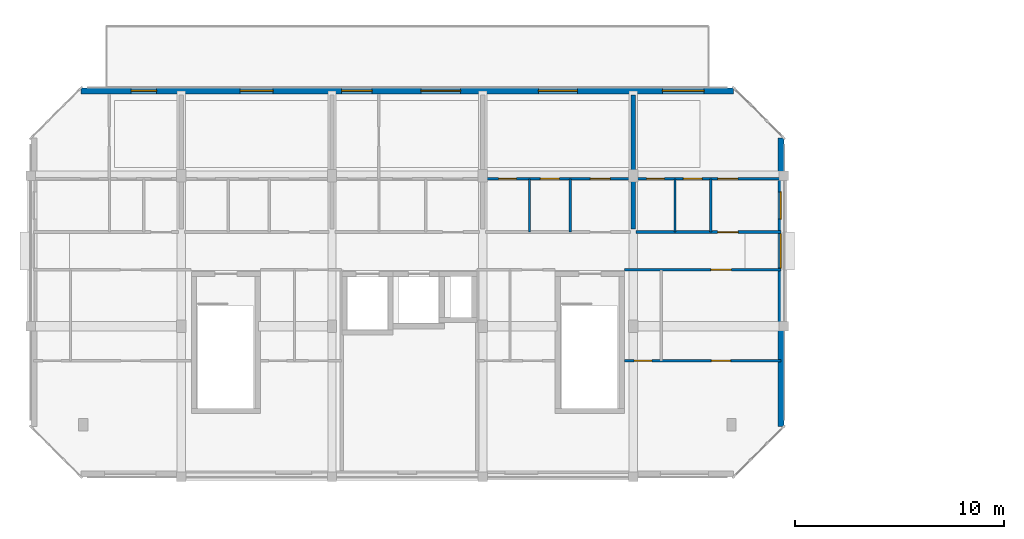
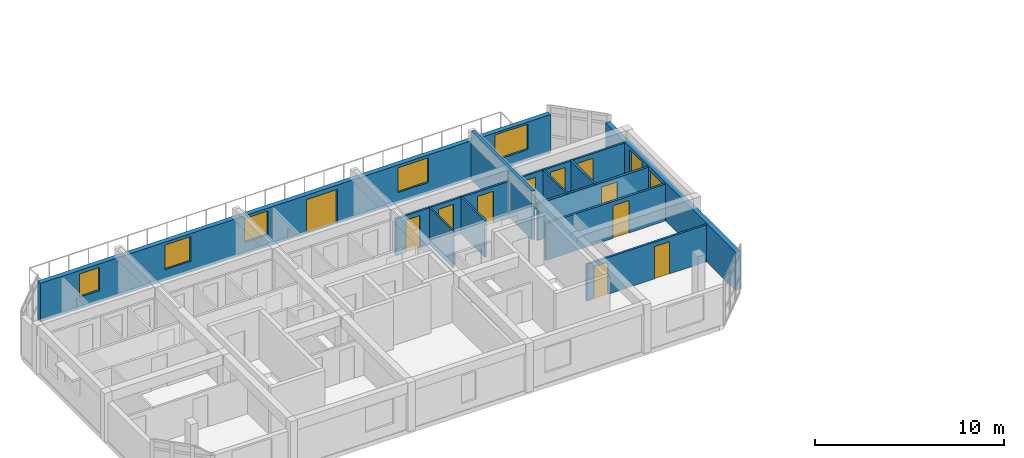
# One storey, part 14 of 30: 12 walls, 11 doors, 7 windows, 18 openings.
"""IFC4 building model written with IfcOpenShell, lengths in metres."""

from ifc_helpers import new_model, si_unit, direction, frame, frame_2d, origin, place, context, subcontext, project, spatial, rectangle, extrude, material, layer, layer_set, type_object, element, fill, save


model = new_model("IFC4")

# Units and contexts
model_context = context("Model", 3, precision=1e-05, world=origin(), true_north=direction((0.0, 1.0)))
body_context = subcontext(model_context, "Body", "Model", "MODEL_VIEW")
ifc_project = project(units=[si_unit("LENGTHUNIT", "METRE"), si_unit("AREAUNIT", "SQUARE_METRE"), si_unit("VOLUMEUNIT", "CUBIC_METRE"), si_unit("PLANEANGLEUNIT", "RADIAN"), si_unit("MASSUNIT", "GRAM", prefix="KILO")], contexts=[model_context])

# Site, building, storey
site_placement = place(None, origin())
site = spatial("IfcSite", under=ifc_project, at=site_placement, CompositionType="ELEMENT")
building_placement = place(site_placement, origin())
building = spatial("IfcBuilding", under=site, at=building_placement, Name="Ochrevale Crest", CompositionType="ELEMENT")
storey_placement = place(building_placement, frame((0.0, 0.0, 33.89990234375)))
storey = spatial("IfcBuildingStorey", under=building, at=storey_placement, Name="L10", CompositionType="ELEMENT", Elevation=33.89990234375)

# Wall, opening, door
ifc_material_1 = material(Name="Gypsum plasterboard", Category="gypsum")
ifc_layer_1 = layer(ifc_material_1, 0.139892578125)
ifc_layer_set_1 = layer_set([ifc_layer_1], Name="Gypsum plasterboard")
wall_type_1 = type_object("IfcWallType", Name="WL-COR-140", PredefinedType="PARTITIONING", material=ifc_layer_set_1)
wall_1_placement = place(storey_placement, frame((28.93994140625, 83.699951171875, 0.0), z_axis=(0.0, 0.0, 1.0), x_axis=(1.0, 0.0, 0.0)))
wall_1 = element("IfcWall", 1, at=wall_1_placement, inside=storey, type_object=wall_type_1, Name="Apartment B-L10-U5 corridor wall", PredefinedType="PARTITIONING", context=body_context, shape_type="SweptSolid", body=[
    extrude(rectangle(XDim=6.920166015625, YDim=0.139892578125, at=frame_2d((3.4599609375, 0.0))), origin(), (0.0, 0.0, 1.0), 2.380126953125),
])
opening_1_placement = place(wall_1_placement, frame((4.875, 0.0, 0.0), z_axis=(0.0, 0.0, 1.0), x_axis=(-1.0, 0.0, 0.0)))
opening_1 = element("IfcOpeningElement", 2, at=opening_1_placement, cuts=wall_1, Name="Opening FD01", PredefinedType="OPENING", context=body_context, shape_type="SweptSolid", body=[
    extrude(rectangle(XDim=0.97998046875, YDim=2.10009765625, at=frame_2d((0.489990234375, 1.050048828125))), frame((0.0, 0.080078125, 0.0), z_axis=(0.0, -1.0, 0.0), x_axis=(1.0, 0.0, 0.0)), (0.0, 0.0, 1.0), 0.159912109375),
])
ifc_material_2 = material(Name="Solid-core FSC hardwood", Category="wood")
door_type_1 = type_object("IfcDoorType", Name="DR-APT-950", OperationType="NOTDEFINED", PredefinedType="DOOR", material=ifc_material_2)
door_1_placement = place(opening_1_placement, origin())
door_1 = element("IfcDoor", 3, at=door_1_placement, inside=storey, type_object=door_type_1, Name="Apartment B-L10-U5 entrance door", OperationType="SINGLE_SWING_RIGHT", OverallHeight=2.10009765625, OverallWidth=0.97998046875, PredefinedType="DOOR", context=body_context, shape_type="SweptSolid", body=[
    extrude(rectangle(XDim=0.97998046875, YDim=2.10009765625, at=frame_2d((0.489990234375, 1.050048828125))), frame((0.0, 0.02490234375, 0.0), z_axis=(0.0, -1.0, 0.0), x_axis=(1.0, 0.0, 0.0)), (0.0, 0.0, 1.0), 0.050048828125),
])
fill(opening_1, door_1)

wall_2_placement = place(storey_placement, frame((28.389892578125, 81.89990234375, 0.0), z_axis=(0.0, 0.0, 1.0), x_axis=(1.0, 0.0, 0.0)))
wall_2 = element("IfcWall", 4, at=wall_2_placement, inside=storey, type_object=wall_type_1, Name="Suite B-L10-CE corridor wall", PredefinedType="PARTITIONING", context=body_context, shape_type="SweptSolid", body=[
    extrude(rectangle(XDim=7.47021484375, YDim=0.139892578125, at=frame_2d((3.735107421875, 0.0))), origin(), (0.0, 0.0, 1.0), 2.380126953125),
])
opening_2_placement = place(wall_2_placement, frame((4.1201171875, 0.0, 0.0)))
opening_2 = element("IfcOpeningElement", 5, at=opening_2_placement, cuts=wall_2, Name="Opening FD01", PredefinedType="OPENING", context=body_context, shape_type="SweptSolid", body=[
    extrude(rectangle(XDim=0.97998046875, YDim=2.10009765625, at=frame_2d((0.489990234375, 1.050048828125))), frame((0.0, 0.080078125, 0.0), z_axis=(0.0, -1.0, 0.0), x_axis=(1.0, 0.0, 0.0)), (0.0, 0.0, 1.0), 0.159912109375),
])
door_2_placement = place(opening_2_placement, origin())
door_2 = element("IfcDoor", 6, at=door_2_placement, inside=storey, type_object=door_type_1, Name="Suite B-L10-CE entrance door", OperationType="SINGLE_SWING_LEFT", OverallHeight=2.10009765625, OverallWidth=0.97998046875, PredefinedType="DOOR", context=body_context, shape_type="SweptSolid", body=[
    extrude(rectangle(XDim=0.97998046875, YDim=2.10009765625, at=frame_2d((0.489990234375, 1.050048828125))), frame((0.0, 0.02490234375, 0.0), z_axis=(0.0, -1.0, 0.0), x_axis=(1.0, 0.0, 0.0)), (0.0, 0.0, 1.0), 0.050048828125),
])
fill(opening_2, door_2)

# Wall, openings, windows
ifc_material_3 = material(Name="Clay face brickwork", Category="masonry")
ifc_layer_2 = layer(ifc_material_3, 0.2900390625)
ifc_layer_set_2 = layer_set([ifc_layer_2], Name="Clay face brickwork")
wall_type_2 = type_object("IfcWallType", Name="WL-EXT-BRICK-290", PredefinedType="SOLIDWALL", material=ifc_layer_set_2)
wall_3_placement = place(storey_placement, frame((35.85498046875, 74.39990234375, 0.0), z_axis=(0.0, 0.0, 1.0), x_axis=(0.0, 1.0, 0.0)))
wall_3 = element("IfcWall", 7, at=wall_3_placement, inside=storey, type_object=wall_type_2, Name="Block B L10 external facade wall E3", PredefinedType="SOLIDWALL", context=body_context, shape_type="SweptSolid", body=[
    extrude(rectangle(XDim=13.800048828125, YDim=0.2900390625, at=frame_2d((6.89990234375, 0.0))), origin(), (0.0, 0.0, 1.0), 2.47998046875),
])
opening_3_placement = place(wall_3_placement, frame((7.574951171875, 0.0, 1.050048828125)))
opening_3 = element("IfcOpeningElement", 8, at=opening_3_placement, cuts=wall_3, Name="Opening W19", PredefinedType="OPENING", context=body_context, shape_type="SweptSolid", body=[
    extrude(rectangle(XDim=1.64990234375, YDim=1.14990234375, at=frame_2d((0.824951171875, 0.574951171875))), frame((0.0, 0.155029296875, 0.0), z_axis=(0.0, -1.0, 0.0), x_axis=(1.0, 0.0, 0.0)), (0.0, 0.0, 1.0), 0.31005859375),
])
opening_4_placement = place(wall_3_placement, frame((9.922607421875, 0.0, 0.75)))
opening_4 = element("IfcOpeningElement", 9, at=opening_4_placement, cuts=wall_3, Name="Opening W30", PredefinedType="OPENING", context=body_context, shape_type="SweptSolid", body=[
    extrude(rectangle(XDim=1.300048828125, YDim=1.550048828125, at=frame_2d((0.64990234375, 0.77490234375))), frame((0.0, 0.155029296875, 0.0), z_axis=(0.0, -1.0, 0.0), x_axis=(1.0, 0.0, 0.0)), (0.0, 0.0, 1.0), 0.31005859375),
])
ifc_material_4 = material(Name="Anodised aluminium 6063-T5 and low-E double glazing", Category="aluminium")
window_type_1 = type_object("IfcWindowType", Name="WIN-W19", PartitioningType="SINGLE_PANEL", PredefinedType="WINDOW", material=ifc_material_4)
window_1_placement = place(opening_3_placement, origin())
window_1 = element("IfcWindow", 10, at=window_1_placement, inside=storey, type_object=window_type_1, Name="Block B L10 corridor end daylight window E", OverallHeight=1.14990234375, OverallWidth=1.64990234375, PartitioningType="SINGLE_PANEL", PredefinedType="WINDOW", context=body_context, shape_type="SweptSolid", body=[
    extrude(rectangle(XDim=1.64990234375, YDim=1.14990234375, at=frame_2d((0.824951171875, 0.574951171875))), frame((0.0, 0.030029296875, 0.0), z_axis=(0.0, -1.0, 0.0), x_axis=(1.0, 0.0, 0.0)), (0.0, 0.0, 1.0), 0.06005859375),
])
fill(opening_3, window_1)
window_type_2 = type_object("IfcWindowType", Name="WIN-W30", PartitioningType="SINGLE_PANEL", PredefinedType="WINDOW", material=ifc_material_4)
window_2_placement = place(opening_4_placement, origin())
window_2 = element("IfcWindow", 11, at=window_2_placement, inside=storey, type_object=window_type_2, Name="Block B L10 side suite window E", OverallHeight=1.550048828125, OverallWidth=1.300048828125, PartitioningType="SINGLE_PANEL", PredefinedType="WINDOW", context=body_context, shape_type="SweptSolid", body=[
    extrude(rectangle(XDim=1.300048828125, YDim=1.550048828125, at=frame_2d((0.64990234375, 0.77490234375))), frame((0.0, 0.030029296875, 0.0), z_axis=(0.0, -1.0, 0.0), x_axis=(1.0, 0.0, 0.0)), (0.0, 0.0, 1.0), 0.06005859375),
])
fill(opening_4, window_2)

# Wall, openings, door, windows
wall_4_placement = place(storey_placement, frame((33.60009765625, 90.455078125, 0.0), z_axis=(0.0, 0.0, 1.0), x_axis=(-1.0, 0.0, 0.0)))
wall_4 = element("IfcWall", 12, at=wall_4_placement, inside=storey, type_object=wall_type_2, Name="Block B L10 external facade wall E5", PredefinedType="SOLIDWALL", context=body_context, shape_type="SweptSolid", body=[
    extrude(rectangle(XDim=31.2001953125, YDim=0.2900390625, at=frame_2d((15.60009765625, 0.0))), origin(), (0.0, 0.0, 1.0), 2.47998046875),
])
opening_5_placement = place(wall_4_placement, frame((14.949951171875, 0.0, 0.0), z_axis=(0.0, 0.0, 1.0), x_axis=(-1.0, 0.0, 0.0)))
opening_5 = element("IfcOpeningElement", 13, at=opening_5_placement, cuts=wall_4, Name="Opening TD01", PredefinedType="OPENING", context=body_context, shape_type="SweptSolid", body=[
    extrude(rectangle(XDim=1.89990234375, YDim=2.199951171875, at=frame_2d((0.949951171875, 1.10009765625))), frame((0.0, 0.155029296875, 0.0), z_axis=(0.0, -1.0, 0.0), x_axis=(1.0, 0.0, 0.0)), (0.0, 0.0, 1.0), 0.31005859375),
])
opening_6_placement = place(wall_4_placement, frame((27.580078125, 0.0, 0.75)))
opening_6 = element("IfcOpeningElement", 14, at=opening_6_placement, cuts=wall_4, Name="Opening W06", PredefinedType="OPENING", context=body_context, shape_type="SweptSolid", body=[
    extrude(rectangle(XDim=1.219970703125, YDim=1.5, at=frame_2d((0.60986328125, 0.75))), frame((0.0, 0.155029296875, 0.0), z_axis=(0.0, -1.0, 0.0), x_axis=(1.0, 0.0, 0.0)), (0.0, 0.0, 1.0), 0.31005859375),
])
opening_7_placement = place(wall_4_placement, frame((22.010009765625, 0.0, 0.699951171875)))
opening_7 = element("IfcOpeningElement", 15, at=opening_7_placement, cuts=wall_4, Name="Opening W09", PredefinedType="OPENING", context=body_context, shape_type="SweptSolid", body=[
    extrude(rectangle(XDim=1.580078125, YDim=1.60009765625, at=frame_2d((0.7900390625, 0.800048828125))), frame((0.0, 0.155029296875, 0.0), z_axis=(0.0, -1.0, 0.0), x_axis=(1.0, 0.0, 0.0)), (0.0, 0.0, 1.0), 0.31005859375),
])
opening_8_placement = place(wall_4_placement, frame((17.280029296875, 0.0, 0.75)))
opening_8 = element("IfcOpeningElement", 16, at=opening_8_placement, cuts=wall_4, Name="Opening W08", PredefinedType="OPENING", context=body_context, shape_type="SweptSolid", body=[
    extrude(rectangle(XDim=1.4599609375, YDim=1.550048828125, at=frame_2d((0.72998046875, 0.77490234375))), frame((0.0, 0.155029296875, 0.0), z_axis=(0.0, -1.0, 0.0), x_axis=(1.0, 0.0, 0.0)), (0.0, 0.0, 1.0), 0.31005859375),
])
opening_9_placement = place(wall_4_placement, frame((7.469970703125, 0.0, 0.699951171875)))
opening_9 = element("IfcOpeningElement", 17, at=opening_9_placement, cuts=wall_4, Name="Opening W11", PredefinedType="OPENING", context=body_context, shape_type="SweptSolid", body=[
    extrude(rectangle(XDim=1.860107421875, YDim=1.60009765625, at=frame_2d((0.93017578125, 0.800048828125))), frame((0.0, 0.155029296875, 0.0), z_axis=(0.0, -1.0, 0.0), x_axis=(1.0, 0.0, 0.0)), (0.0, 0.0, 1.0), 0.31005859375),
])
opening_10_placement = place(wall_4_placement, frame((1.409912109375, 0.0, 0.699951171875)))
opening_10 = element("IfcOpeningElement", 18, at=opening_10_placement, cuts=wall_4, Name="Opening W12", PredefinedType="OPENING", context=body_context, shape_type="SweptSolid", body=[
    extrude(rectangle(XDim=2.0, YDim=1.64990234375, at=frame_2d((1.0, 0.824951171875))), frame((0.0, 0.155029296875, 0.0), z_axis=(0.0, -1.0, 0.0), x_axis=(1.0, 0.0, 0.0)), (0.0, 0.0, 1.0), 0.31005859375),
])
ifc_material_5 = material(Name="Anodised aluminium 6063-T5 and toughened glass", Category="aluminium")
door_type_2 = type_object("IfcDoorType", Name="DR-TER-1900", OperationType="NOTDEFINED", PredefinedType="DOOR", material=ifc_material_5)
door_3_placement = place(opening_5_placement, origin())
door_3 = element("IfcDoor", 19, at=door_3_placement, inside=storey, type_object=door_type_2, Name="Block B L10 roof-terrace double glazed door", OperationType="DOUBLE_DOOR_SINGLE_SWING", OverallHeight=2.199951171875, OverallWidth=1.89990234375, PredefinedType="DOOR", context=body_context, shape_type="SweptSolid", body=[
    extrude(rectangle(XDim=1.89990234375, YDim=2.199951171875, at=frame_2d((0.949951171875, 1.10009765625))), frame((0.0, 0.02490234375, 0.0), z_axis=(0.0, -1.0, 0.0), x_axis=(1.0, 0.0, 0.0)), (0.0, 0.0, 1.0), 0.050048828125),
])
fill(opening_5, door_3)
window_type_3 = type_object("IfcWindowType", Name="WIN-W06", PartitioningType="SINGLE_PANEL", PredefinedType="WINDOW", material=ifc_material_4)
window_3_placement = place(opening_6_placement, origin())
window_3 = element("IfcWindow", 20, at=window_3_placement, inside=storey, type_object=window_type_3, Name="Block B L10 Apartment B-L10-U1 Three Bedroom Family Living window", OverallHeight=1.5, OverallWidth=1.219970703125, PartitioningType="SINGLE_PANEL", PredefinedType="WINDOW", context=body_context, shape_type="SweptSolid", body=[
    extrude(rectangle(XDim=1.219970703125, YDim=1.5, at=frame_2d((0.60986328125, 0.75))), frame((0.0, 0.030029296875, 0.0), z_axis=(0.0, -1.0, 0.0), x_axis=(1.0, 0.0, 0.0)), (0.0, 0.0, 1.0), 0.06005859375),
])
fill(opening_6, window_3)
window_type_4 = type_object("IfcWindowType", Name="WIN-W08", PartitioningType="SINGLE_PANEL", PredefinedType="WINDOW", material=ifc_material_4)
window_4_placement = place(opening_8_placement, origin())
window_4 = element("IfcWindow", 21, at=window_4_placement, inside=storey, type_object=window_type_4, Name="Block B L10 Apartment B-L10-U3 Master Bedroom window", OverallHeight=1.550048828125, OverallWidth=1.4599609375, PartitioningType="SINGLE_PANEL", PredefinedType="WINDOW", context=body_context, shape_type="SweptSolid", body=[
    extrude(rectangle(XDim=1.4599609375, YDim=1.550048828125, at=frame_2d((0.72998046875, 0.77490234375))), frame((0.0, 0.030029296875, 0.0), z_axis=(0.0, -1.0, 0.0), x_axis=(1.0, 0.0, 0.0)), (0.0, 0.0, 1.0), 0.06005859375),
])
fill(opening_8, window_4)
window_type_5 = type_object("IfcWindowType", Name="WIN-W09", PartitioningType="SINGLE_PANEL", PredefinedType="WINDOW", material=ifc_material_4)
window_5_placement = place(opening_7_placement, origin())
window_5 = element("IfcWindow", 22, at=window_5_placement, inside=storey, type_object=window_type_5, Name="Block B L10 Studio B-L10-U2 Living Room window", OverallHeight=1.60009765625, OverallWidth=1.580078125, PartitioningType="SINGLE_PANEL", PredefinedType="WINDOW", context=body_context, shape_type="SweptSolid", body=[
    extrude(rectangle(XDim=1.580078125, YDim=1.60009765625, at=frame_2d((0.7900390625, 0.800048828125))), frame((0.0, 0.030029296875, 0.0), z_axis=(0.0, -1.0, 0.0), x_axis=(1.0, 0.0, 0.0)), (0.0, 0.0, 1.0), 0.06005859375),
])
fill(opening_7, window_5)
window_type_6 = type_object("IfcWindowType", Name="WIN-W11", PartitioningType="SINGLE_PANEL", PredefinedType="WINDOW", material=ifc_material_4)
window_6_placement = place(opening_9_placement, origin())
window_6 = element("IfcWindow", 23, at=window_6_placement, inside=storey, type_object=window_type_6, Name="Block B L10 Studio B-L10-U4 Living Room window", OverallHeight=1.60009765625, OverallWidth=1.860107421875, PartitioningType="SINGLE_PANEL", PredefinedType="WINDOW", context=body_context, shape_type="SweptSolid", body=[
    extrude(rectangle(XDim=1.860107421875, YDim=1.60009765625, at=frame_2d((0.93017578125, 0.800048828125))), frame((0.0, 0.030029296875, 0.0), z_axis=(0.0, -1.0, 0.0), x_axis=(1.0, 0.0, 0.0)), (0.0, 0.0, 1.0), 0.06005859375),
])
fill(opening_9, window_6)
window_type_7 = type_object("IfcWindowType", Name="WIN-W12", PartitioningType="SINGLE_PANEL", PredefinedType="WINDOW", material=ifc_material_4)
window_7_placement = place(opening_10_placement, origin())
window_7 = element("IfcWindow", 24, at=window_7_placement, inside=storey, type_object=window_type_7, Name="Block B L10 Studio B-L10-U5 Living Room window", OverallHeight=1.64990234375, OverallWidth=2.0, PartitioningType="SINGLE_PANEL", PredefinedType="WINDOW", context=body_context, shape_type="SweptSolid", body=[
    extrude(rectangle(XDim=2.0, YDim=1.64990234375, at=frame_2d((1.0, 0.824951171875))), frame((0.0, 0.030029296875, 0.0), z_axis=(0.0, -1.0, 0.0), x_axis=(1.0, 0.0, 0.0)), (0.0, 0.0, 1.0), 0.06005859375),
])
fill(opening_10, window_7)

# Wall
ifc_layer_3 = layer(ifc_material_1, 0.1201171875)
ifc_layer_set_3 = layer_set([ifc_layer_3], Name="Gypsum plasterboard")
wall_type_3 = type_object("IfcWallType", Name="WL-PART-120", PredefinedType="PARTITIONING", material=ifc_layer_set_3)
wall_5_placement = place(storey_placement, frame((25.7900390625, 83.699951171875, 0.0), z_axis=(0.0, 0.0, 1.0), x_axis=(0.0, 1.0, 0.0)))
element("IfcWall", 25, at=wall_5_placement, inside=storey, type_object=wall_type_3, Name="Apartment B-L10-U4 kitchen-foyer wall", PredefinedType="PARTITIONING", context=body_context, shape_type="SweptSolid", body=[
    extrude(rectangle(XDim=2.550048828125, YDim=0.1201171875, at=frame_2d((1.27490234375, 0.0))), origin(), (0.0, 0.0, 1.0), 2.380126953125),
])

# Wall, openings, doors
wall_6_placement = place(storey_placement, frame((21.739990234375, 86.25, 0.0), z_axis=(0.0, 0.0, 1.0), x_axis=(1.0, 0.0, 0.0)))
wall_6 = element("IfcWall", 26, at=wall_6_placement, inside=storey, type_object=wall_type_3, Name="Apartment B-L10-U4 central partition", PredefinedType="PARTITIONING", context=body_context, shape_type="SweptSolid", body=[
    extrude(rectangle(XDim=6.919921875, YDim=0.1201171875, at=frame_2d((3.4599609375, 0.0))), origin(), (0.0, 0.0, 1.0), 2.380126953125),
])
opening_11_placement = place(wall_6_placement, frame((0.625, 0.0, 0.0)))
opening_11 = element("IfcOpeningElement", 27, at=opening_11_placement, cuts=wall_6, Name="Opening ID01", PredefinedType="OPENING", context=body_context, shape_type="SweptSolid", body=[
    extrude(rectangle(XDim=0.85009765625, YDim=2.080078125, at=frame_2d((0.425048828125, 1.0400390625))), frame((0.0, 0.070068359375, 0.0), z_axis=(0.0, -1.0, 0.0), x_axis=(1.0, 0.0, 0.0)), (0.0, 0.0, 1.0), 0.14013671875),
])
opening_12_placement = place(wall_6_placement, frame((3.52490234375, 0.0, 0.0), z_axis=(0.0, 0.0, 1.0), x_axis=(-1.0, 0.0, 0.0)))
opening_12 = element("IfcOpeningElement", 28, at=opening_12_placement, cuts=wall_6, Name="Opening ID02", PredefinedType="OPENING", context=body_context, shape_type="SweptSolid", body=[
    extrude(rectangle(XDim=0.89990234375, YDim=2.080078125, at=frame_2d((0.449951171875, 1.0400390625))), frame((0.0, 0.070068359375, 0.0), z_axis=(0.0, -1.0, 0.0), x_axis=(1.0, 0.0, 0.0)), (0.0, 0.0, 1.0), 0.14013671875),
])
opening_13_placement = place(wall_6_placement, frame((5.010009765625, 0.0, 0.0)))
opening_13 = element("IfcOpeningElement", 29, at=opening_13_placement, cuts=wall_6, Name="Opening ID06", PredefinedType="OPENING", context=body_context, shape_type="SweptSolid", body=[
    extrude(rectangle(XDim=0.949951171875, YDim=2.080078125, at=frame_2d((0.47509765625, 1.0400390625))), frame((0.0, 0.070068359375, 0.0), z_axis=(0.0, -1.0, 0.0), x_axis=(1.0, 0.0, 0.0)), (0.0, 0.0, 1.0), 0.14013671875),
])
door_type_3 = type_object("IfcDoorType", Name="DR-INT-900", OperationType="NOTDEFINED", PredefinedType="DOOR", material=ifc_material_2)
door_4_placement = place(opening_12_placement, origin())
door_4 = element("IfcDoor", 30, at=door_4_placement, inside=storey, type_object=door_type_3, Name="Apartment B-L10-U4 Kitchen door", OperationType="SINGLE_SWING_RIGHT", OverallHeight=2.080078125, OverallWidth=0.89990234375, PredefinedType="DOOR", context=body_context, shape_type="SweptSolid", body=[
    extrude(rectangle(XDim=0.89990234375, YDim=2.080078125, at=frame_2d((0.449951171875, 1.0400390625))), frame((0.0, 0.02490234375, 0.0), z_axis=(0.0, -1.0, 0.0), x_axis=(1.0, 0.0, 0.0)), (0.0, 0.0, 1.0), 0.050048828125),
])
fill(opening_12, door_4)
door_type_4 = type_object("IfcDoorType", Name="DR-INT-950", OperationType="NOTDEFINED", PredefinedType="DOOR", material=ifc_material_2)
door_5_placement = place(opening_13_placement, origin())
door_5 = element("IfcDoor", 31, at=door_5_placement, inside=storey, type_object=door_type_4, Name="Apartment B-L10-U4 Living Foyer door", OperationType="SINGLE_SWING_LEFT", OverallHeight=2.080078125, OverallWidth=0.949951171875, PredefinedType="DOOR", context=body_context, shape_type="SweptSolid", body=[
    extrude(rectangle(XDim=0.949951171875, YDim=2.080078125, at=frame_2d((0.47509765625, 1.0400390625))), frame((0.0, 0.02490234375, 0.0), z_axis=(0.0, -1.0, 0.0), x_axis=(1.0, 0.0, 0.0)), (0.0, 0.0, 1.0), 0.050048828125),
])
fill(opening_13, door_5)
door_type_5 = type_object("IfcDoorType", Name="DR-WC-850", OperationType="NOTDEFINED", PredefinedType="DOOR", material=ifc_material_2)
door_6_placement = place(opening_11_placement, origin())
door_6 = element("IfcDoor", 32, at=door_6_placement, inside=storey, type_object=door_type_5, Name="Apartment B-L10-U4 Bathroom door", OperationType="SINGLE_SWING_LEFT", OverallHeight=2.080078125, OverallWidth=0.85009765625, PredefinedType="DOOR", context=body_context, shape_type="SweptSolid", body=[
    extrude(rectangle(XDim=0.85009765625, YDim=2.080078125, at=frame_2d((0.425048828125, 1.0400390625))), frame((0.0, 0.02490234375, 0.0), z_axis=(0.0, -1.0, 0.0), x_axis=(1.0, 0.0, 0.0)), (0.0, 0.0, 1.0), 0.050048828125),
])
fill(opening_11, door_6)

# Wall
wall_7_placement = place(storey_placement, frame((32.5, 83.699951171875, 0.0), z_axis=(0.0, 0.0, 1.0), x_axis=(0.0, 1.0, 0.0)))
element("IfcWall", 33, at=wall_7_placement, inside=storey, type_object=wall_type_3, Name="Apartment B-L10-U5 kitchen-foyer wall", PredefinedType="PARTITIONING", context=body_context, shape_type="SweptSolid", body=[
    extrude(rectangle(XDim=2.550048828125, YDim=0.1201171875, at=frame_2d((1.27490234375, 0.0))), origin(), (0.0, 0.0, 1.0), 2.380126953125),
])

# Wall, openings, doors
wall_8_placement = place(storey_placement, frame((28.93994140625, 86.25, 0.0), z_axis=(0.0, 0.0, 1.0), x_axis=(1.0, 0.0, 0.0)))
wall_8 = element("IfcWall", 34, at=wall_8_placement, inside=storey, type_object=wall_type_3, Name="Apartment B-L10-U5 central partition", PredefinedType="PARTITIONING", context=body_context, shape_type="SweptSolid", body=[
    extrude(rectangle(XDim=6.920166015625, YDim=0.1201171875, at=frame_2d((3.4599609375, 0.0))), origin(), (0.0, 0.0, 1.0), 2.380126953125),
])
opening_14_placement = place(wall_8_placement, frame((0.5, 0.0, 0.0)))
opening_14 = element("IfcOpeningElement", 35, at=opening_14_placement, cuts=wall_8, Name="Opening ID01", PredefinedType="OPENING", context=body_context, shape_type="SweptSolid", body=[
    extrude(rectangle(XDim=0.85009765625, YDim=2.080078125, at=frame_2d((0.425048828125, 1.0400390625))), frame((0.0, 0.070068359375, 0.0), z_axis=(0.0, -1.0, 0.0), x_axis=(1.0, 0.0, 0.0)), (0.0, 0.0, 1.0), 0.14013671875),
])
opening_15_placement = place(wall_8_placement, frame((3.15478515625, 0.0, 0.0), z_axis=(0.0, 0.0, 1.0), x_axis=(-1.0, 0.0, 0.0)))
opening_15 = element("IfcOpeningElement", 36, at=opening_15_placement, cuts=wall_8, Name="Opening ID02", PredefinedType="OPENING", context=body_context, shape_type="SweptSolid", body=[
    extrude(rectangle(XDim=0.89990234375, YDim=2.080078125, at=frame_2d((0.449951171875, 1.0400390625))), frame((0.0, 0.070068359375, 0.0), z_axis=(0.0, -1.0, 0.0), x_axis=(1.0, 0.0, 0.0)), (0.0, 0.0, 1.0), 0.14013671875),
])
opening_16_placement = place(wall_8_placement, frame((3.909912109375, 0.0, 0.0)))
opening_16 = element("IfcOpeningElement", 37, at=opening_16_placement, cuts=wall_8, Name="Opening ID06", PredefinedType="OPENING", context=body_context, shape_type="SweptSolid", body=[
    extrude(rectangle(XDim=0.949951171875, YDim=2.080078125, at=frame_2d((0.47509765625, 1.0400390625))), frame((0.0, 0.070068359375, 0.0), z_axis=(0.0, -1.0, 0.0), x_axis=(1.0, 0.0, 0.0)), (0.0, 0.0, 1.0), 0.14013671875),
])
door_7_placement = place(opening_15_placement, origin())
door_7 = element("IfcDoor", 38, at=door_7_placement, inside=storey, type_object=door_type_3, Name="Apartment B-L10-U5 Kitchen door", OperationType="SINGLE_SWING_RIGHT", OverallHeight=2.080078125, OverallWidth=0.89990234375, PredefinedType="DOOR", context=body_context, shape_type="SweptSolid", body=[
    extrude(rectangle(XDim=0.89990234375, YDim=2.080078125, at=frame_2d((0.449951171875, 1.0400390625))), frame((0.0, 0.02490234375, 0.0), z_axis=(0.0, -1.0, 0.0), x_axis=(1.0, 0.0, 0.0)), (0.0, 0.0, 1.0), 0.050048828125),
])
fill(opening_15, door_7)
door_8_placement = place(opening_16_placement, origin())
door_8 = element("IfcDoor", 39, at=door_8_placement, inside=storey, type_object=door_type_4, Name="Apartment B-L10-U5 Living Foyer door", OperationType="SINGLE_SWING_LEFT", OverallHeight=2.080078125, OverallWidth=0.949951171875, PredefinedType="DOOR", context=body_context, shape_type="SweptSolid", body=[
    extrude(rectangle(XDim=0.949951171875, YDim=2.080078125, at=frame_2d((0.47509765625, 1.0400390625))), frame((0.0, 0.02490234375, 0.0), z_axis=(0.0, -1.0, 0.0), x_axis=(1.0, 0.0, 0.0)), (0.0, 0.0, 1.0), 0.050048828125),
])
fill(opening_16, door_8)
door_9_placement = place(opening_14_placement, origin())
door_9 = element("IfcDoor", 40, at=door_9_placement, inside=storey, type_object=door_type_5, Name="Apartment B-L10-U5 Bathroom door", OperationType="SINGLE_SWING_LEFT", OverallHeight=2.080078125, OverallWidth=0.85009765625, PredefinedType="DOOR", context=body_context, shape_type="SweptSolid", body=[
    extrude(rectangle(XDim=0.85009765625, YDim=2.080078125, at=frame_2d((0.425048828125, 1.0400390625))), frame((0.0, 0.02490234375, 0.0), z_axis=(0.0, -1.0, 0.0), x_axis=(1.0, 0.0, 0.0)), (0.0, 0.0, 1.0), 0.050048828125),
])
fill(opening_14, door_9)

wall_9_placement = place(storey_placement, frame((28.389892578125, 77.550048828125, 0.0), z_axis=(0.0, 0.0, 1.0), x_axis=(1.0, 0.0, 0.0)))
wall_9 = element("IfcWall", 41, at=wall_9_placement, inside=storey, type_object=wall_type_3, Name="Suite B-L10-CE internal wall", PredefinedType="PARTITIONING", context=body_context, shape_type="SweptSolid", body=[
    extrude(rectangle(XDim=7.47021484375, YDim=0.1201171875, at=frame_2d((3.735107421875, 0.0))), origin(), (0.0, 0.0, 1.0), 2.380126953125),
])
opening_17_placement = place(wall_9_placement, frame((1.300048828125, 0.0, 0.0), z_axis=(0.0, 0.0, 1.0), x_axis=(-1.0, 0.0, 0.0)))
opening_17 = element("IfcOpeningElement", 42, at=opening_17_placement, cuts=wall_9, Name="Opening ID01", PredefinedType="OPENING", context=body_context, shape_type="SweptSolid", body=[
    extrude(rectangle(XDim=0.85009765625, YDim=2.080078125, at=frame_2d((0.425048828125, 1.0400390625))), frame((0.0, 0.070068359375, 0.0), z_axis=(0.0, -1.0, 0.0), x_axis=(1.0, 0.0, 0.0)), (0.0, 0.0, 1.0), 0.14013671875),
])
opening_18_placement = place(wall_9_placement, frame((4.14990234375, 0.0, 0.0)))
opening_18 = element("IfcOpeningElement", 43, at=opening_18_placement, cuts=wall_9, Name="Opening ID04", PredefinedType="OPENING", context=body_context, shape_type="SweptSolid", body=[
    extrude(rectangle(XDim=0.919921875, YDim=2.080078125, at=frame_2d((0.4599609375, 1.0400390625))), frame((0.0, 0.070068359375, 0.0), z_axis=(0.0, -1.0, 0.0), x_axis=(1.0, 0.0, 0.0)), (0.0, 0.0, 1.0), 0.14013671875),
])
door_type_6 = type_object("IfcDoorType", Name="DR-INT-920", OperationType="NOTDEFINED", PredefinedType="DOOR", material=ifc_material_2)
door_10_placement = place(opening_18_placement, origin())
door_10 = element("IfcDoor", 44, at=door_10_placement, inside=storey, type_object=door_type_6, Name="Suite B-L10-CE Master Bedroom door", OperationType="SINGLE_SWING_LEFT", OverallHeight=2.080078125, OverallWidth=0.919921875, PredefinedType="DOOR", context=body_context, shape_type="SweptSolid", body=[
    extrude(rectangle(XDim=0.919921875, YDim=2.080078125, at=frame_2d((0.4599609375, 1.0400390625))), frame((0.0, 0.02490234375, 0.0), z_axis=(0.0, -1.0, 0.0), x_axis=(1.0, 0.0, 0.0)), (0.0, 0.0, 1.0), 0.050048828125),
])
fill(opening_18, door_10)
door_11_placement = place(opening_17_placement, origin())
door_11 = element("IfcDoor", 45, at=door_11_placement, inside=storey, type_object=door_type_5, Name="Suite B-L10-CE Bathroom door", OperationType="SINGLE_SWING_RIGHT", OverallHeight=2.080078125, OverallWidth=0.85009765625, PredefinedType="DOOR", context=body_context, shape_type="SweptSolid", body=[
    extrude(rectangle(XDim=0.85009765625, YDim=2.080078125, at=frame_2d((0.425048828125, 1.0400390625))), frame((0.0, 0.02490234375, 0.0), z_axis=(0.0, -1.0, 0.0), x_axis=(1.0, 0.0, 0.0)), (0.0, 0.0, 1.0), 0.050048828125),
])
fill(opening_17, door_11)

# Walls
ifc_material_6 = material(Name="Precast concrete C40/50", Category="concrete")
ifc_layer_4 = layer(ifc_material_6, 0.2099609375)
ifc_layer_set_4 = layer_set([ifc_layer_4], Name="Precast concrete C40/50")
wall_type_4 = type_object("IfcWallType", Name="WL-SHEAR-210", PredefinedType="SHEAR", material=ifc_layer_set_4)
wall_10_placement = place(storey_placement, frame((28.800048828125, 83.85009765625, 0.0), z_axis=(0.0, 0.0, 1.0), x_axis=(0.0, 1.0, 0.0)))
element("IfcWall", 46, at=wall_10_placement, inside=storey, type_object=wall_type_4, Name="Block B L10 load-bearing precast cross-wall X=28.8", PredefinedType="SHEAR", context=body_context, shape_type="SweptSolid", body=[
    extrude(rectangle(XDim=6.39990234375, YDim=0.2099609375, at=frame_2d((3.199951171875, 0.0))), origin(), (0.0, 0.0, 1.0), 3.150146484375),
])
ifc_layer_5 = layer(ifc_material_1, 0.10009765625)
ifc_layer_set_5 = layer_set([ifc_layer_5], Name="Gypsum plasterboard")
wall_type_5 = type_object("IfcWallType", Name="WL-WET-100", PredefinedType="PARTITIONING", material=ifc_layer_set_5)
for number, where, z_axis, x_axis, name in (
    (47, (23.840087890625, 83.699951171875, 0.0), (0.0, 0.0, 1.0), (0.0, 1.0, 0.0), "Apartment B-L10-U4 bath-kitchen wall"),
    (48, (30.7900390625, 83.699951171875, 0.0), (0.0, 0.0, 1.0), (0.0, 1.0, 0.0), "Apartment B-L10-U5 bath-kitchen wall"),
):
    element("IfcWall", number, at=place(storey_placement, frame(where, z_axis=z_axis, x_axis=x_axis)), inside=storey, type_object=wall_type_5, Name=name, PredefinedType="PARTITIONING", context=body_context, shape_type="SweptSolid", body=[
        extrude(rectangle(XDim=2.550048828125, YDim=0.10009765625, at=frame_2d((1.27490234375, 0.0))), origin(), (0.0, 0.0, 1.0), 2.380126953125),
    ])

save(model, "model.ifc")
